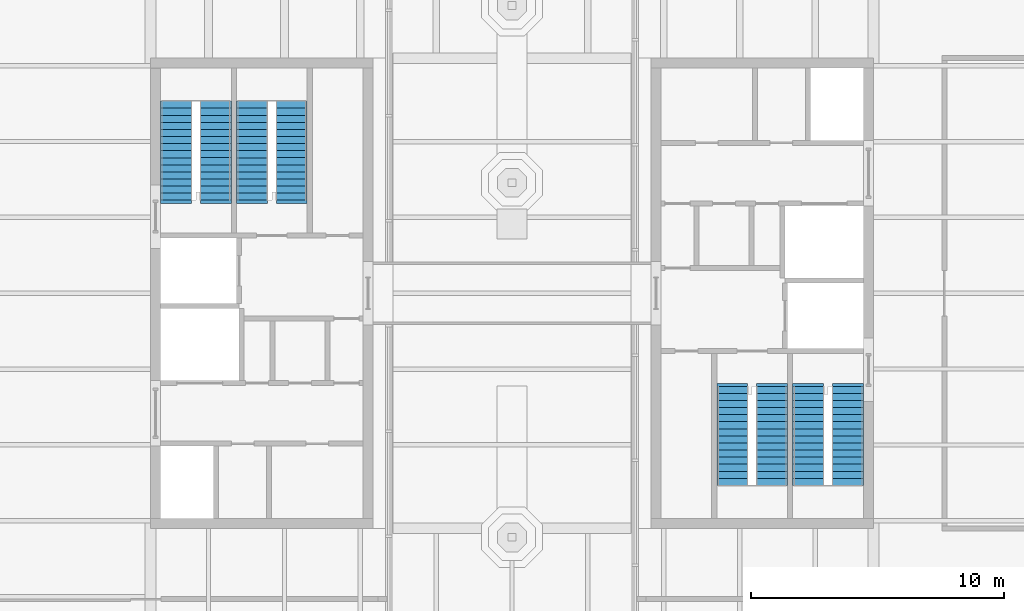
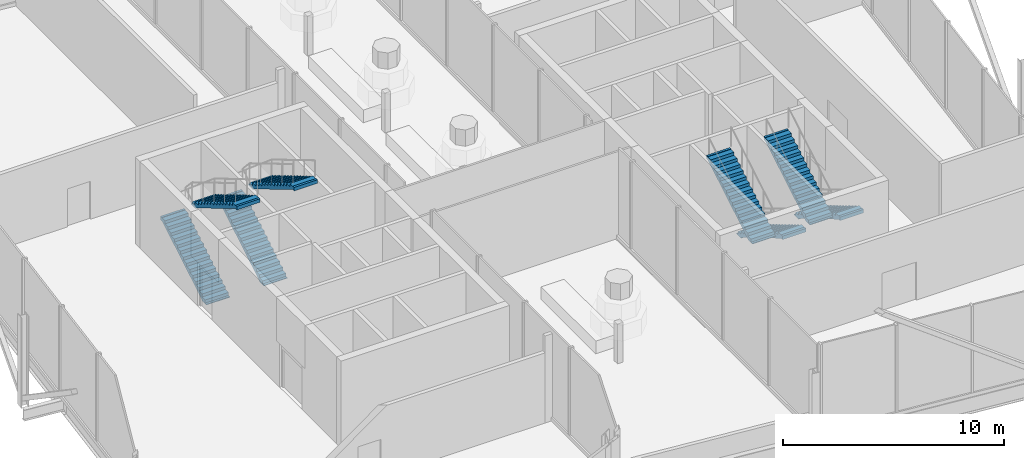
# One storey, part 12 of 14: 8 stair flights, 4 elements without a shape of their own.
"""IFC4 building model written with IfcOpenShell, lengths in metres."""

from ifc_helpers import new_model, si_unit, direction, frame, origin, place, context, subcontext, project, spatial, polyline, outline, extrude, material, type_object, element, aggregate, save


model = new_model("IFC4")

# Units and contexts
model_context = context("Model", 3, precision=1e-05, world=origin(), true_north=direction((0.0, 1.0)))
body_context = subcontext(model_context, "Body", "Model", "MODEL_VIEW")
ifc_project = project(units=[si_unit("LENGTHUNIT", "METRE"), si_unit("AREAUNIT", "SQUARE_METRE"), si_unit("VOLUMEUNIT", "CUBIC_METRE"), si_unit("PLANEANGLEUNIT", "RADIAN"), si_unit("MASSUNIT", "GRAM", prefix="KILO")], contexts=[model_context])

# Site, building, storey
site_placement = place(None, origin())
site = spatial("IfcSite", under=ifc_project, at=site_placement, CompositionType="ELEMENT")
building_placement = place(site_placement, origin())
building = spatial("IfcBuilding", under=site, at=building_placement, Name="Millrace Tower", CompositionType="ELEMENT")
storey_placement = place(building_placement, frame((0.0, 0.0, 342.10009765625)))
storey = spatial("IfcBuildingStorey", under=building, at=storey_placement, Name="L79", CompositionType="ELEMENT", Elevation=342.10009765625)

# Stair, stair flights
ifc_material_1 = material(Name="Concrete C35", Category="concrete")
stair_type = type_object("IfcStairType", Name="Exit stair", PredefinedType="HALF_TURN_STAIR", material=ifc_material_1)
placement = place(storey_placement, origin())
stair_1 = element("IfcStair", 1, at=placement, inside=storey, type_object=stair_type, Name="Stair 1 W L79", PredefinedType="HALF_TURN_STAIR")
ifc_material_2 = material(Name="Concrete C35", Category="concrete")
stair_flight_type = type_object("IfcStairFlightType", Name="Exit stair flight", PredefinedType="STRAIGHT", material=ifc_material_2)
stair_flight_1_placement = place(storey_placement, frame((-13.2900390625, 3.679931640625, 0.0), z_axis=(0.0, 0.0, 1.0), x_axis=(0.0, 1.0, 0.0)))
stair_flight_1 = element("IfcStairFlight", 2, at=stair_flight_1_placement, type_object=stair_flight_type, Name="ST12 flight 1", NumberOfRisers=15, NumberOfTreads=14, PredefinedType="STRAIGHT", RiserHeight=0.166666667, TreadLength=0.28, context=body_context, shape_type="SweptSolid", body=[
    extrude(outline(polyline([(-0.1201171875, -0.0400390625), (-0.1201171875, 0.0), (0.0, 0.0), (0.0, 0.166748046875), (0.280029296875, 0.166748046875), (0.280029296875, 0.333251953125), (0.56005859375, 0.333251953125), (0.56005859375, 0.5), (0.840087890625, 0.5), (0.840087890625, 0.666748046875), (1.1201171875, 0.666748046875), (1.1201171875, 0.833251953125), (1.39990234375, 0.833251953125), (1.39990234375, 1.0), (1.679931640625, 1.0), (1.679931640625, 1.166748046875), (1.9599609375, 1.166748046875), (1.9599609375, 1.333251953125), (2.239990234375, 1.333251953125), (2.239990234375, 1.5), (2.52001953125, 1.5), (2.52001953125, 1.666748046875), (2.800048828125, 1.666748046875), (2.800048828125, 1.833251953125), (3.080078125, 1.833251953125), (3.080078125, 2.0), (3.360107421875, 2.0), (3.360107421875, 2.166748046875), (3.639892578125, 2.166748046875), (3.639892578125, 2.333251953125), (3.919921875, 2.333251953125), (3.919921875, 2.353271484375), (4.0400390625, 2.353271484375), (4.0400390625, 2.158935546875), (3.919921875, 2.158935546875), (0.29296875, 0.0), (0.29296875, -0.0400390625), (-0.1201171875, -0.0400390625)])), frame((0.0, 0.60986328125, 0.0), z_axis=(0.0, -1.0, 0.0), x_axis=(1.0, 0.0, 0.0)), (0.0, 0.0, 1.0), 1.219970703125),
])
stair_flight_2_placement = place(storey_placement, frame((-11.7099609375, 7.60009765625, 2.5), z_axis=(0.0, 0.0, 1.0), x_axis=(0.0, -1.0, 0.0)))
stair_flight_2 = element("IfcStairFlight", 3, at=stair_flight_2_placement, type_object=stair_flight_type, Name="ST12 flight 2", NumberOfRisers=15, NumberOfTreads=14, PredefinedType="STRAIGHT", RiserHeight=0.166666667, TreadLength=0.28, context=body_context, shape_type="SweptSolid", body=[
    extrude(outline(polyline([(-0.1201171875, -0.0400390625), (-0.1201171875, 0.0), (0.0, 0.0), (0.0, 0.166748046875), (0.280029296875, 0.166748046875), (0.280029296875, 0.333251953125), (0.56005859375, 0.333251953125), (0.56005859375, 0.5), (0.840087890625, 0.5), (0.840087890625, 0.666748046875), (1.1201171875, 0.666748046875), (1.1201171875, 0.833251953125), (1.39990234375, 0.833251953125), (1.39990234375, 1.0), (1.679931640625, 1.0), (1.679931640625, 1.166748046875), (1.9599609375, 1.166748046875), (1.9599609375, 1.333251953125), (2.239990234375, 1.333251953125), (2.239990234375, 1.5), (2.52001953125, 1.5), (2.52001953125, 1.666748046875), (2.800048828125, 1.666748046875), (2.800048828125, 1.833251953125), (3.080078125, 1.833251953125), (3.080078125, 2.0), (3.360107421875, 2.0), (3.360107421875, 2.166748046875), (3.639892578125, 2.166748046875), (3.639892578125, 2.333251953125), (3.919921875, 2.333251953125), (3.919921875, 2.353271484375), (4.0400390625, 2.353271484375), (4.0400390625, 2.158935546875), (3.919921875, 2.158935546875), (0.29296875, 0.0), (0.29296875, -0.0400390625), (-0.1201171875, -0.0400390625)])), frame((0.0, 0.60986328125, 0.0), z_axis=(0.0, -1.0, 0.0), x_axis=(1.0, 0.0, 0.0)), (0.0, 0.0, 1.0), 1.219970703125),
])
aggregate(stair_1, [stair_flight_1, stair_flight_2])

stair_2 = element("IfcStair", 4, at=placement, inside=storey, type_object=stair_type, Name="Stair 2 W L79", PredefinedType="HALF_TURN_STAIR")
stair_flight_3_placement = place(storey_placement, frame((-10.2900390625, 3.679931640625, 0.0), z_axis=(0.0, 0.0, 1.0), x_axis=(0.0, 1.0, 0.0)))
stair_flight_3 = element("IfcStairFlight", 5, at=stair_flight_3_placement, type_object=stair_flight_type, Name="ST12 flight 1", NumberOfRisers=15, NumberOfTreads=14, PredefinedType="STRAIGHT", RiserHeight=0.166666667, TreadLength=0.28, context=body_context, shape_type="SweptSolid", body=[
    extrude(outline(polyline([(-0.1201171875, -0.0400390625), (-0.1201171875, 0.0), (0.0, 0.0), (0.0, 0.166748046875), (0.280029296875, 0.166748046875), (0.280029296875, 0.333251953125), (0.56005859375, 0.333251953125), (0.56005859375, 0.5), (0.840087890625, 0.5), (0.840087890625, 0.666748046875), (1.1201171875, 0.666748046875), (1.1201171875, 0.833251953125), (1.39990234375, 0.833251953125), (1.39990234375, 1.0), (1.679931640625, 1.0), (1.679931640625, 1.166748046875), (1.9599609375, 1.166748046875), (1.9599609375, 1.333251953125), (2.239990234375, 1.333251953125), (2.239990234375, 1.5), (2.52001953125, 1.5), (2.52001953125, 1.666748046875), (2.800048828125, 1.666748046875), (2.800048828125, 1.833251953125), (3.080078125, 1.833251953125), (3.080078125, 2.0), (3.360107421875, 2.0), (3.360107421875, 2.166748046875), (3.639892578125, 2.166748046875), (3.639892578125, 2.333251953125), (3.919921875, 2.333251953125), (3.919921875, 2.353271484375), (4.0400390625, 2.353271484375), (4.0400390625, 2.158935546875), (3.919921875, 2.158935546875), (0.29296875, 0.0), (0.29296875, -0.0400390625), (-0.1201171875, -0.0400390625)])), frame((0.0, 0.60986328125, 0.0), z_axis=(0.0, -1.0, 0.0), x_axis=(1.0, 0.0, 0.0)), (0.0, 0.0, 1.0), 1.219970703125),
])
stair_flight_4_placement = place(storey_placement, frame((-8.7099609375, 7.60009765625, 2.5), z_axis=(0.0, 0.0, 1.0), x_axis=(0.0, -1.0, 0.0)))
stair_flight_4 = element("IfcStairFlight", 6, at=stair_flight_4_placement, type_object=stair_flight_type, Name="ST12 flight 2", NumberOfRisers=15, NumberOfTreads=14, PredefinedType="STRAIGHT", RiserHeight=0.166666667, TreadLength=0.28, context=body_context, shape_type="SweptSolid", body=[
    extrude(outline(polyline([(-0.1201171875, -0.0400390625), (-0.1201171875, 0.0), (0.0, 0.0), (0.0, 0.166748046875), (0.280029296875, 0.166748046875), (0.280029296875, 0.333251953125), (0.56005859375, 0.333251953125), (0.56005859375, 0.5), (0.840087890625, 0.5), (0.840087890625, 0.666748046875), (1.1201171875, 0.666748046875), (1.1201171875, 0.833251953125), (1.39990234375, 0.833251953125), (1.39990234375, 1.0), (1.679931640625, 1.0), (1.679931640625, 1.166748046875), (1.9599609375, 1.166748046875), (1.9599609375, 1.333251953125), (2.239990234375, 1.333251953125), (2.239990234375, 1.5), (2.52001953125, 1.5), (2.52001953125, 1.666748046875), (2.800048828125, 1.666748046875), (2.800048828125, 1.833251953125), (3.080078125, 1.833251953125), (3.080078125, 2.0), (3.360107421875, 2.0), (3.360107421875, 2.166748046875), (3.639892578125, 2.166748046875), (3.639892578125, 2.333251953125), (3.919921875, 2.333251953125), (3.919921875, 2.353271484375), (4.0400390625, 2.353271484375), (4.0400390625, 2.158935546875), (3.919921875, 2.158935546875), (0.29296875, 0.0), (0.29296875, -0.0400390625), (-0.1201171875, -0.0400390625)])), frame((0.0, 0.60986328125, 0.0), z_axis=(0.0, -1.0, 0.0), x_axis=(1.0, 0.0, 0.0)), (0.0, 0.0, 1.0), 1.219970703125),
])
aggregate(stair_2, [stair_flight_3, stair_flight_4])

stair_3 = element("IfcStair", 7, at=placement, inside=storey, type_object=stair_type, Name="Stair 1 E L79", PredefinedType="HALF_TURN_STAIR")
stair_flight_5_placement = place(storey_placement, frame((13.2900390625, -3.679931640625, 0.0), z_axis=(0.0, 0.0, 1.0), x_axis=(0.0, -1.0, 0.0)))
stair_flight_5 = element("IfcStairFlight", 8, at=stair_flight_5_placement, type_object=stair_flight_type, Name="ST12 flight 1", NumberOfRisers=15, NumberOfTreads=14, PredefinedType="STRAIGHT", RiserHeight=0.166666667, TreadLength=0.28, context=body_context, shape_type="SweptSolid", body=[
    extrude(outline(polyline([(-0.1201171875, -0.0400390625), (-0.1201171875, 0.0), (0.0, 0.0), (0.0, 0.166748046875), (0.280029296875, 0.166748046875), (0.280029296875, 0.333251953125), (0.56005859375, 0.333251953125), (0.56005859375, 0.5), (0.840087890625, 0.5), (0.840087890625, 0.666748046875), (1.1201171875, 0.666748046875), (1.1201171875, 0.833251953125), (1.39990234375, 0.833251953125), (1.39990234375, 1.0), (1.679931640625, 1.0), (1.679931640625, 1.166748046875), (1.9599609375, 1.166748046875), (1.9599609375, 1.333251953125), (2.239990234375, 1.333251953125), (2.239990234375, 1.5), (2.52001953125, 1.5), (2.52001953125, 1.666748046875), (2.800048828125, 1.666748046875), (2.800048828125, 1.833251953125), (3.080078125, 1.833251953125), (3.080078125, 2.0), (3.360107421875, 2.0), (3.360107421875, 2.166748046875), (3.639892578125, 2.166748046875), (3.639892578125, 2.333251953125), (3.919921875, 2.333251953125), (3.919921875, 2.353271484375), (4.0400390625, 2.353271484375), (4.0400390625, 2.158935546875), (3.919921875, 2.158935546875), (0.29296875, 0.0), (0.29296875, -0.0400390625), (-0.1201171875, -0.0400390625)])), frame((0.0, 0.60986328125, 0.0), z_axis=(0.0, -1.0, 0.0), x_axis=(1.0, 0.0, 0.0)), (0.0, 0.0, 1.0), 1.219970703125),
])
stair_flight_6_placement = place(storey_placement, frame((11.7099609375, -7.60009765625, 2.5), z_axis=(0.0, 0.0, 1.0), x_axis=(0.0, 1.0, 0.0)))
stair_flight_6 = element("IfcStairFlight", 9, at=stair_flight_6_placement, type_object=stair_flight_type, Name="ST12 flight 2", NumberOfRisers=15, NumberOfTreads=14, PredefinedType="STRAIGHT", RiserHeight=0.166666667, TreadLength=0.28, context=body_context, shape_type="SweptSolid", body=[
    extrude(outline(polyline([(-0.1201171875, -0.0400390625), (-0.1201171875, 0.0), (0.0, 0.0), (0.0, 0.166748046875), (0.280029296875, 0.166748046875), (0.280029296875, 0.333251953125), (0.56005859375, 0.333251953125), (0.56005859375, 0.5), (0.840087890625, 0.5), (0.840087890625, 0.666748046875), (1.1201171875, 0.666748046875), (1.1201171875, 0.833251953125), (1.39990234375, 0.833251953125), (1.39990234375, 1.0), (1.679931640625, 1.0), (1.679931640625, 1.166748046875), (1.9599609375, 1.166748046875), (1.9599609375, 1.333251953125), (2.239990234375, 1.333251953125), (2.239990234375, 1.5), (2.52001953125, 1.5), (2.52001953125, 1.666748046875), (2.800048828125, 1.666748046875), (2.800048828125, 1.833251953125), (3.080078125, 1.833251953125), (3.080078125, 2.0), (3.360107421875, 2.0), (3.360107421875, 2.166748046875), (3.639892578125, 2.166748046875), (3.639892578125, 2.333251953125), (3.919921875, 2.333251953125), (3.919921875, 2.353271484375), (4.0400390625, 2.353271484375), (4.0400390625, 2.158935546875), (3.919921875, 2.158935546875), (0.29296875, 0.0), (0.29296875, -0.0400390625), (-0.1201171875, -0.0400390625)])), frame((0.0, 0.60986328125, 0.0), z_axis=(0.0, -1.0, 0.0), x_axis=(1.0, 0.0, 0.0)), (0.0, 0.0, 1.0), 1.219970703125),
])
aggregate(stair_3, [stair_flight_5, stair_flight_6])

stair_4 = element("IfcStair", 10, at=placement, inside=storey, type_object=stair_type, Name="Stair 2 E L79", PredefinedType="HALF_TURN_STAIR")
stair_flight_7_placement = place(storey_placement, frame((10.2900390625, -3.679931640625, 0.0), z_axis=(0.0, 0.0, 1.0), x_axis=(0.0, -1.0, 0.0)))
stair_flight_7 = element("IfcStairFlight", 11, at=stair_flight_7_placement, type_object=stair_flight_type, Name="ST12 flight 1", NumberOfRisers=15, NumberOfTreads=14, PredefinedType="STRAIGHT", RiserHeight=0.166666667, TreadLength=0.28, context=body_context, shape_type="SweptSolid", body=[
    extrude(outline(polyline([(-0.1201171875, -0.0400390625), (-0.1201171875, 0.0), (0.0, 0.0), (0.0, 0.166748046875), (0.280029296875, 0.166748046875), (0.280029296875, 0.333251953125), (0.56005859375, 0.333251953125), (0.56005859375, 0.5), (0.840087890625, 0.5), (0.840087890625, 0.666748046875), (1.1201171875, 0.666748046875), (1.1201171875, 0.833251953125), (1.39990234375, 0.833251953125), (1.39990234375, 1.0), (1.679931640625, 1.0), (1.679931640625, 1.166748046875), (1.9599609375, 1.166748046875), (1.9599609375, 1.333251953125), (2.239990234375, 1.333251953125), (2.239990234375, 1.5), (2.52001953125, 1.5), (2.52001953125, 1.666748046875), (2.800048828125, 1.666748046875), (2.800048828125, 1.833251953125), (3.080078125, 1.833251953125), (3.080078125, 2.0), (3.360107421875, 2.0), (3.360107421875, 2.166748046875), (3.639892578125, 2.166748046875), (3.639892578125, 2.333251953125), (3.919921875, 2.333251953125), (3.919921875, 2.353271484375), (4.0400390625, 2.353271484375), (4.0400390625, 2.158935546875), (3.919921875, 2.158935546875), (0.29296875, 0.0), (0.29296875, -0.0400390625), (-0.1201171875, -0.0400390625)])), frame((0.0, 0.60986328125, 0.0), z_axis=(0.0, -1.0, 0.0), x_axis=(1.0, 0.0, 0.0)), (0.0, 0.0, 1.0), 1.219970703125),
])
stair_flight_8_placement = place(storey_placement, frame((8.7099609375, -7.60009765625, 2.5), z_axis=(0.0, 0.0, 1.0), x_axis=(0.0, 1.0, 0.0)))
stair_flight_8 = element("IfcStairFlight", 12, at=stair_flight_8_placement, type_object=stair_flight_type, Name="ST12 flight 2", NumberOfRisers=15, NumberOfTreads=14, PredefinedType="STRAIGHT", RiserHeight=0.166666667, TreadLength=0.28, context=body_context, shape_type="SweptSolid", body=[
    extrude(outline(polyline([(-0.1201171875, -0.0400390625), (-0.1201171875, 0.0), (0.0, 0.0), (0.0, 0.166748046875), (0.280029296875, 0.166748046875), (0.280029296875, 0.333251953125), (0.56005859375, 0.333251953125), (0.56005859375, 0.5), (0.840087890625, 0.5), (0.840087890625, 0.666748046875), (1.1201171875, 0.666748046875), (1.1201171875, 0.833251953125), (1.39990234375, 0.833251953125), (1.39990234375, 1.0), (1.679931640625, 1.0), (1.679931640625, 1.166748046875), (1.9599609375, 1.166748046875), (1.9599609375, 1.333251953125), (2.239990234375, 1.333251953125), (2.239990234375, 1.5), (2.52001953125, 1.5), (2.52001953125, 1.666748046875), (2.800048828125, 1.666748046875), (2.800048828125, 1.833251953125), (3.080078125, 1.833251953125), (3.080078125, 2.0), (3.360107421875, 2.0), (3.360107421875, 2.166748046875), (3.639892578125, 2.166748046875), (3.639892578125, 2.333251953125), (3.919921875, 2.333251953125), (3.919921875, 2.353271484375), (4.0400390625, 2.353271484375), (4.0400390625, 2.158935546875), (3.919921875, 2.158935546875), (0.29296875, 0.0), (0.29296875, -0.0400390625), (-0.1201171875, -0.0400390625)])), frame((0.0, 0.60986328125, 0.0), z_axis=(0.0, -1.0, 0.0), x_axis=(1.0, 0.0, 0.0)), (0.0, 0.0, 1.0), 1.219970703125),
])
aggregate(stair_4, [stair_flight_7, stair_flight_8])

save(model, "model.ifc")
